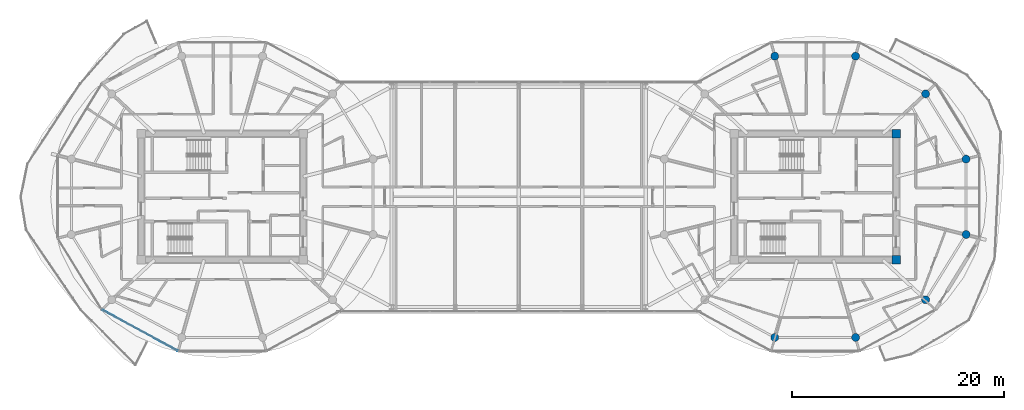
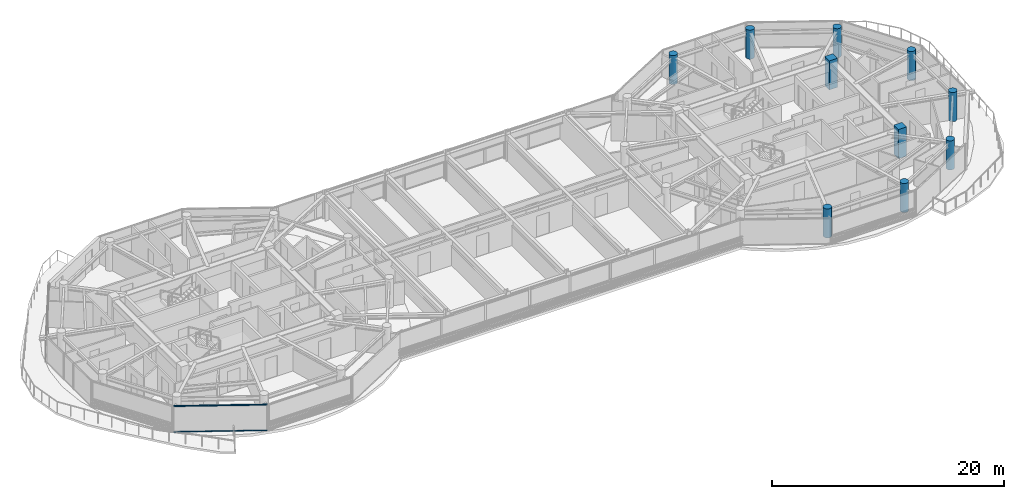
# One storey, part 2 of 23: 10 columns, 2 members, 1 element without a shape of its own.
"""IFC4 building model written with IfcOpenShell, lengths in metres."""

from ifc_helpers import new_model, si_unit, direction, frame, origin, origin_2d, place, context, subcontext, project, spatial, rectangle, circle, extrude, source, transform, mapped, material, layer, layer_set, material_profile, profile_set, type_object, type_shapes, element, aggregate, save


model = new_model("IFC4")

# Units and contexts
model_context = context("Model", 3, precision=1e-05, world=origin(), true_north=direction((0.0, 1.0)))
body_context = subcontext(model_context, "Body", "Model", "MODEL_VIEW")
ifc_project = project(units=[si_unit("LENGTHUNIT", "METRE"), si_unit("AREAUNIT", "SQUARE_METRE"), si_unit("VOLUMEUNIT", "CUBIC_METRE"), si_unit("PLANEANGLEUNIT", "RADIAN"), si_unit("MASSUNIT", "GRAM", prefix="KILO")], contexts=[model_context])

# Site, building, storey
site_placement = place(None, origin())
site = spatial("IfcSite", under=ifc_project, at=site_placement, CompositionType="ELEMENT")
building_placement = place(site_placement, origin())
building = spatial("IfcBuilding", under=site, at=building_placement, Name="Norrkilde Senior Care Towers", CompositionType="ELEMENT")
storey_placement = place(building_placement, frame((0.0, 0.0, 207.800048828125)))
storey = spatial("IfcBuildingStorey", under=building, at=storey_placement, Name="L64", CompositionType="ELEMENT", Elevation=207.800048828125)

# Columns
ifc_material_1 = material(Name="Concrete C60/75", Category="concrete")
ifc_material_profile_1 = material_profile(ifc_material_1, rectangle(XDim=0.800048828125, YDim=0.800048828125, at=origin_2d()), Name="RC COL 800x800")
ifc_profile_set_1 = profile_set([ifc_material_profile_1], Name="Concrete C60/75")
column_type_1 = type_object("IfcColumnType", Name="Column Core Corner Z3-Z4 800", PredefinedType="COLUMN", material=ifc_profile_set_1)
shared_shape_1 = source(origin(), body_context, "Body", "SweptSolid", [
    extrude(rectangle(XDim=0.800048828125, YDim=0.800048828125, at=origin_2d()), origin(), (0.0, 0.0, 1.0), 3.050048828125),
])
type_shapes(column_type_1, [shared_shape_1])
for number, where, z_axis, x_axis, name in (
    (1, (35.64990234375, -5.949951171875, 0.0), (0.0, 0.0, 1.0), (1.0, 0.0, 0.0), "L64 Core E Corner Column 2"),
    (2, (35.64990234375, 5.949951171875, 0.0), (0.0, 0.0, 1.0), (1.0, 0.0, 0.0), "L64 Core E Corner Column 3"),
):
    element("IfcColumn", number, at=place(storey_placement, frame(where, z_axis=z_axis, x_axis=x_axis)), inside=storey, type_object=column_type_1, Name=name, PredefinedType="COLUMN", context=body_context, shape_type="MappedRepresentation", body=[
        mapped(shared_shape_1, transform((0.0, 0.0, 0.0), x_axis=(1.0, 0.0, 0.0), y_axis=(0.0, 1.0, 0.0), z_axis=(0.0, 0.0, 1.0), scale=1.0)),
    ])
ifc_material_2 = material(Name="Concrete C50/60", Category="concrete")
ifc_material_profile_2 = material_profile(ifc_material_2, circle(Radius=0.375, at=origin_2d()), Name="RC CIR 750")
ifc_profile_set_2 = profile_set([ifc_material_profile_2], Name="Concrete C50/60")
column_type_2 = type_object("IfcColumnType", Name="Column Perimeter Z4 750", PredefinedType="COLUMN", material=ifc_profile_set_2)
shared_shape_2 = source(origin(), body_context, "Body", "SweptSolid", [
    extrude(circle(Radius=0.375, at=origin_2d()), origin(), (0.0, 0.0, 1.0), 3.050048828125),
])
type_shapes(column_type_2, [shared_shape_2])
for number, where, z_axis, x_axis, name in (
    (3, (42.247314453125, 3.558837890625, 0.0), (0.0, 0.0, 1.0), (1.0, 0.0, 0.0), "L64 Drum E Perimeter Column 01"),
    (4, (38.429931640625, 9.72265625, 0.0), (0.0, 0.0, 1.0), (1.0, 0.0, 0.0), "L64 Drum E Perimeter Column 02"),
    (5, (31.817626953125, 13.281494140625, 0.0), (0.0, 0.0, 1.0), (1.0, 0.0, 0.0), "L64 Drum E Perimeter Column 03"),
    (6, (24.182373046875, 13.281494140625, 0.0), (0.0, 0.0, 1.0), (1.0, 0.0, 0.0), "L64 Drum E Perimeter Column 04"),
    (7, (24.182373046875, -13.281494140625, 0.0), (0.0, 0.0, 1.0), (1.0, 0.0, 0.0), "L64 Drum E Perimeter Column 09"),
    (8, (31.817626953125, -13.281494140625, 0.0), (0.0, 0.0, 1.0), (1.0, 0.0, 0.0), "L64 Drum E Perimeter Column 10"),
    (9, (38.429931640625, -9.72265625, 0.0), (0.0, 0.0, 1.0), (1.0, 0.0, 0.0), "L64 Drum E Perimeter Column 11"),
    (10, (42.247314453125, -3.558837890625, 0.0), (0.0, 0.0, 1.0), (1.0, 0.0, 0.0), "L64 Drum E Perimeter Column 12"),
):
    element("IfcColumn", number, at=place(storey_placement, frame(where, z_axis=z_axis, x_axis=x_axis)), inside=storey, type_object=column_type_2, Name=name, PredefinedType="COLUMN", context=body_context, shape_type="MappedRepresentation", body=[
        mapped(shared_shape_2, transform((0.0, 0.0, 0.0), x_axis=(1.0, 0.0, 0.0), y_axis=(0.0, 1.0, 0.0), z_axis=(0.0, 0.0, 1.0), scale=1.0)),
    ])

# Curtain wall, members
ifc_material_3 = material(Name="Triple Low-E Insulated Glazing", Category="glass")
ifc_layer = layer(ifc_material_3, 0.18505859375)
ifc_layer_set = layer_set([ifc_layer], Name="Triple Low-E Insulated Glazing")
curtain_wall_type = type_object("IfcCurtainWallType", Name="CW6 Zone 4 Crown Pavilion Curtain Wall", PredefinedType="NOTDEFINED", material=ifc_layer_set)
curtain_wall_placement = place(storey_placement, origin())
curtain_wall = element("IfcCurtainWall", 11, at=curtain_wall_placement, inside=storey, type_object=curtain_wall_type, Name="L64 Drum W Curtain Wall 07", PredefinedType="NOTDEFINED")
ifc_material_4 = material(Name="Anodised Aluminium", Category="aluminium")
ifc_material_profile_3 = material_profile(ifc_material_4, rectangle(XDim=0.06005859375, YDim=0.1201171875, at=origin_2d()), Name="ALU TRAN 60x120")
ifc_profile_set_3 = profile_set([ifc_material_profile_3], Name="Anodised Aluminium")
member_type = type_object("IfcMemberType", Name="Curtain Wall Transom Typical 60x120", PredefinedType="USERDEFINED", material=ifc_profile_set_3)
shared_shape_3 = source(origin(), body_context, "Body", "SweptSolid", [
    extrude(rectangle(XDim=0.06005859375, YDim=0.1201171875, at=origin_2d()), origin(), (0.0, 0.0, 1.0), 8.0673828125),
])
type_shapes(member_type, [shared_shape_3])
member_1_placement = place(storey_placement, frame((-32.218994140625, -14.53515625, 0.030029296875), z_axis=(-0.87937750072, 0.476125205411, 0.0), x_axis=(-0.476125205411, -0.87937750072, 0.0)))
member_1 = element("IfcMember", 12, at=member_1_placement, type_object=member_type, Name="CW-6 transom 1.1", ObjectType="TRANSOM", PredefinedType="USERDEFINED", context=body_context, shape_type="MappedRepresentation", body=[
    mapped(shared_shape_3, transform((0.0, 0.0, 0.0), x_axis=(1.0, 0.0, 0.0), y_axis=(0.0, 1.0, 0.0), z_axis=(0.0, 0.0, 1.0), scale=1.0)),
])
member_2_placement = place(storey_placement, frame((-32.218994140625, -14.53515625, 2.72998046875), z_axis=(-0.87937750072, 0.476125205411, 0.0), x_axis=(-0.476125205411, -0.87937750072, 0.0)))
member_2 = element("IfcMember", 13, at=member_2_placement, type_object=member_type, Name="CW-6 transom 1.2", ObjectType="TRANSOM", PredefinedType="USERDEFINED", context=body_context, shape_type="MappedRepresentation", body=[
    mapped(shared_shape_3, transform((0.0, 0.0, 0.0), x_axis=(1.0, 0.0, 0.0), y_axis=(0.0, 1.0, 0.0), z_axis=(0.0, 0.0, 1.0), scale=1.0)),
])
aggregate(curtain_wall, [member_1, member_2])

save(model, "model.ifc")
